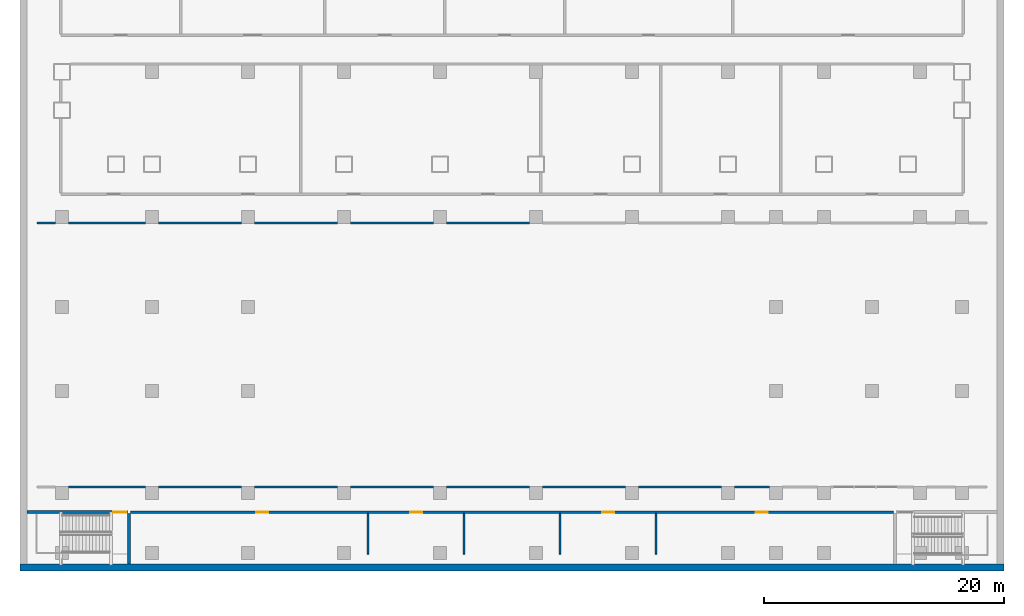
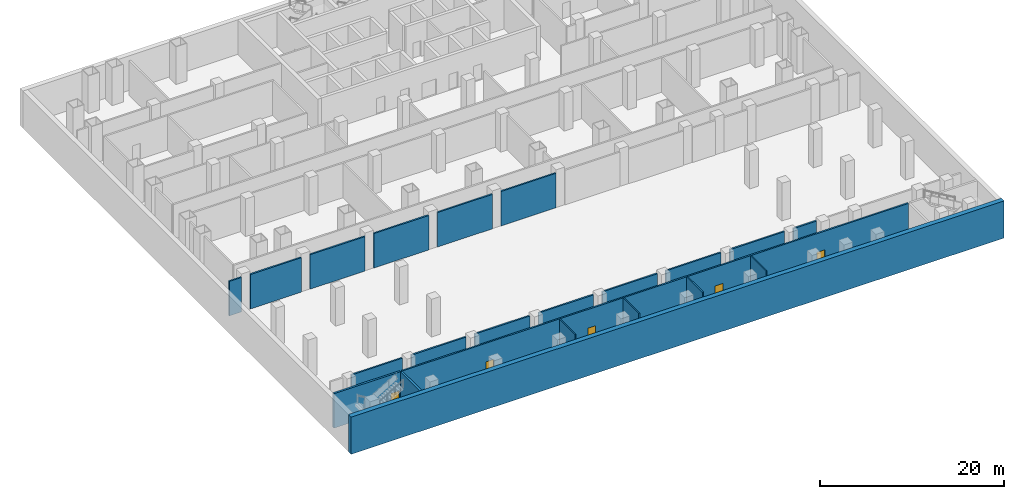
# One storey, part 2 of 12: 22 walls, 5 doors, 5 openings.
"""IFC4 building model written with IfcOpenShell, lengths in metres."""

import ifcopenshell
import ifcopenshell.guid

model = None  # the IFC model being written
_history = None  # IfcOwnerHistory: only IFC2X3 demands one
_inside = {}  # id of a spatial element -> (the spatial element, [elements in it])
_under = {}  # id of a project, library or spatial element -> (it, [spatial elements below it])
_declared = {}  # id of a project -> (the project, [libraries it declares])
_typed = {}  # id of a type object -> (the type object, [elements of that type])
_made_of = {}  # id of a material, layer set ... -> (it, [elements and type objects made of it])


def new_model(schema):
    """Start an empty IFC model of exactly this schema.

    Asked for "IFC4X3", IfcOpenShell would pick the latest addendum, in which some entities
    have other attributes; the version numbers below select the first issue.
    IFC2X3 requires an IfcOwnerHistory on every rooted entity: one is made here for all.
    """
    global model, _history
    if schema == "IFC4X3":
        model = ifcopenshell.file(schema_version=(4, 3, 0, 0))
    else:
        model = ifcopenshell.file(schema=schema)
    _inside.clear()
    _under.clear()
    _declared.clear()
    _typed.clear()
    _made_of.clear()
    _history = None
    if model.schema == "IFC2X3":
        org = make("IfcOrganization", Name="unknown")
        user = make(
            "IfcPersonAndOrganization",
            ThePerson=make("IfcPerson", FamilyName="unknown"),
            TheOrganization=org,
        )
        app = make(
            "IfcApplication",
            ApplicationDeveloper=org,
            Version="unknown",
            ApplicationFullName="unknown",
            ApplicationIdentifier="unknown",
        )
        _history = make(
            "IfcOwnerHistory",
            OwningUser=user,
            OwningApplication=app,
            ChangeAction="ADDED",
            CreationDate=0,
        )
    return model


def make(cls, **values):
    """One entity of the class cls with the attributes given. An attribute that is None is left unset."""
    return model.create_entity(
        cls, **{name: value for name, value in values.items() if value is not None}
    )


def rooted(cls, **values):
    """An entity with a GlobalId (a new one), such as an element, a storey or a relation."""
    return make(cls, GlobalId=ifcopenshell.guid.new(), OwnerHistory=_history, **values)


def si_unit(unit_type, name, prefix=None):
    """IfcSIUnit, for example si_unit("LENGTHUNIT", "METRE", prefix="MILLI")."""
    return make("IfcSIUnit", UnitType=unit_type, Prefix=prefix, Name=name)


def assignment(units):
    """IfcUnitAssignment: the units of a project."""
    return None if units is None else make("IfcUnitAssignment", Units=units)


def point(xyz):
    """IfcCartesianPoint."""
    return None if xyz is None else make("IfcCartesianPoint", Coordinates=xyz)


def direction(xyz):
    """IfcDirection."""
    return None if xyz is None else make("IfcDirection", DirectionRatios=xyz)


def frame(location, z_axis=None, x_axis=None):
    """IfcAxis2Placement3D, a coordinate frame: its origin and axes. An axis left out is left unset."""
    return make(
        "IfcAxis2Placement3D",
        Location=point(location),
        Axis=direction(z_axis),
        RefDirection=direction(x_axis),
    )


def frame_2d(location, x_axis=None):
    """IfcAxis2Placement2D, a coordinate frame in the plane: its origin and x axis."""
    return make(
        "IfcAxis2Placement2D", Location=point(location), RefDirection=direction(x_axis)
    )


def origin():
    """The frame at (0, 0, 0) with its axes left unset."""
    return frame((0.0, 0.0, 0.0))


def place(relative_to, where):
    """IfcLocalPlacement: puts the frame where relative to a parent placement (None: the world)."""
    return make(
        "IfcLocalPlacement", PlacementRelTo=relative_to, RelativePlacement=where
    )


def context(
    kind, dimensions, precision=None, world=None, true_north=None, identifier=None
):
    """IfcGeometricRepresentationContext, for example the 3D "Model" context."""
    return make(
        "IfcGeometricRepresentationContext",
        ContextIdentifier=identifier,
        ContextType=kind,
        CoordinateSpaceDimension=dimensions,
        Precision=precision,
        WorldCoordinateSystem=world,
        TrueNorth=true_north,
    )


def subcontext(parent, identifier, kind, view, scale=None):
    """IfcGeometricRepresentationSubContext, for example "Body" below "Model"."""
    return make(
        "IfcGeometricRepresentationSubContext",
        ContextIdentifier=identifier,
        ContextType=kind,
        ParentContext=parent,
        TargetScale=scale,
        TargetView=view,
    )


def project(units=None, contexts=None):
    """IfcProject with its units and contexts."""
    return rooted(
        "IfcProject",
        Name="project",
        RepresentationContexts=contexts,
        UnitsInContext=assignment(units),
    )


def spatial(cls, under=None, at=None, **own):
    """A site, building, storey or space (cls), placed at a placement, below another one or the project."""
    s = rooted(cls, ObjectPlacement=at, **own)
    if under is not None:
        _under.setdefault(under.id(), (under, []))[1].append(s)
    return s


def profile(cls, at=None, kind="AREA", **sizes):
    """A parametric profile (cls). Its sizes go by their IFC names, for example OverallWidth=200.0."""
    return make(cls, ProfileType=kind, Position=at, **sizes)


def rectangle(**sizes):
    """IfcRectangleProfileDef."""
    return profile("IfcRectangleProfileDef", **sizes)


def extrude(swept, where, along, depth):
    """IfcExtrudedAreaSolid: the profile swept, set in the frame where, extruded along a direction by depth."""
    return make(
        "IfcExtrudedAreaSolid",
        SweptArea=swept,
        Position=where,
        ExtrudedDirection=direction(along),
        Depth=depth,
    )


def shape(context_of_items, identifier, shape_type, items):
    """IfcShapeRepresentation: the items that make up one representation, for example the "Body"."""
    return make(
        "IfcShapeRepresentation",
        ContextOfItems=context_of_items,
        RepresentationIdentifier=identifier,
        RepresentationType=shape_type,
        Items=items,
    )


def material(Name=None, Category=None):
    """IfcMaterial."""
    return make("IfcMaterial", Name=Name, Category=Category)


def layer(
    of_material, thickness, ventilated=None, Name=None, Category=None, Priority=None
):
    """IfcMaterialLayer: one layer of a wall or slab, of a material (None: an air gap)."""
    return make(
        "IfcMaterialLayer",
        Material=of_material,
        LayerThickness=thickness,
        IsVentilated=ventilated,
        Name=Name,
        Category=Category,
        Priority=Priority,
    )


def layer_set(layers, Name=None):
    """IfcMaterialLayerSet."""
    return make("IfcMaterialLayerSet", MaterialLayers=layers, LayerSetName=Name)


def made_of(thing, what):
    """Note that an element or type object is made of a material, layer set ...; save() writes the relation."""
    if what is not None:
        _made_of.setdefault(what.id(), (what, []))[1].append(thing)
    return thing


def type_object(cls, material=None, **own):
    """A type object (cls), such as IfcWallType, which elements share."""
    return made_of(rooted(cls, **own), material)


def element(
    cls,
    number,
    at=None,
    inside=None,
    cuts=None,
    type_object=None,
    material=None,
    context=None,
    identifier="Body",
    shape_type=None,
    held_by="IfcProductDefinitionShape",
    body=None,
    shapes=None,
    **own,
):
    """One element of the class cls, such as IfcWall. Its Tag is "e" and its number.

    at: its placement. inside: the storey or other place that contains it. cuts: it is an
    opening in that element (IfcRelVoidsElement). A single representation is given by context,
    identifier, shape_type and body (its items); several are given by shapes. held_by: the class
    of the entity that holds the representations. save() writes the other relations.
    """
    e = rooted(cls, Tag="e%d" % number, ObjectPlacement=at, **own)
    if body is not None:
        shapes = [shape(context, identifier, shape_type, body)]
    if shapes is not None:
        e.Representation = make(held_by, Representations=shapes)
    if inside is not None:
        _inside.setdefault(inside.id(), (inside, []))[1].append(e)
    if cuts is not None:
        rooted(
            "IfcRelVoidsElement", RelatingBuildingElement=cuts, RelatedOpeningElement=e
        )
    if type_object is not None:
        _typed.setdefault(type_object.id(), (type_object, []))[1].append(e)
    return made_of(e, material)


def fill(opening, filler):
    """IfcRelFillsElement: the door or window that sits in an opening."""
    return rooted(
        "IfcRelFillsElement",
        RelatingOpeningElement=opening,
        RelatedBuildingElement=filler,
    )


def aggregate(whole, parts):
    """IfcRelAggregates: a whole, such as a stair, and the parts it consists of."""
    return rooted("IfcRelAggregates", RelatingObject=whole, RelatedObjects=parts)


def save(model, path):
    """Write the relations noted so far, then the file.

    IfcRelAggregates (storeys below a building ...), IfcRelContainedInSpatialStructure (elements
    in a storey), IfcRelDefinesByType, IfcRelAssociatesMaterial and IfcRelDeclares: one each for
    every whole, place, type object, material and project.
    """
    for whole, parts in _under.values():
        aggregate(whole, parts)
    for where, things in _inside.values():
        rooted(
            "IfcRelContainedInSpatialStructure",
            RelatedElements=things,
            RelatingStructure=where,
        )
    for kind, things in _typed.values():
        rooted("IfcRelDefinesByType", RelatedObjects=things, RelatingType=kind)
    for what, things in _made_of.values():
        rooted("IfcRelAssociatesMaterial", RelatedObjects=things, RelatingMaterial=what)
    for by, libraries in _declared.values():
        rooted("IfcRelDeclares", RelatingContext=by, RelatedDefinitions=libraries)
    model.write(path)


model = new_model("IFC4")

# Units and contexts
model_context = context("Model", 3, precision=1e-05, world=origin(), true_north=direction((0.0, 1.0)))
body_context = subcontext(model_context, "Body", "Model", "MODEL_VIEW")
ifc_project = project(units=[si_unit("LENGTHUNIT", "METRE"), si_unit("AREAUNIT", "SQUARE_METRE"), si_unit("VOLUMEUNIT", "CUBIC_METRE"), si_unit("PLANEANGLEUNIT", "RADIAN"), si_unit("MASSUNIT", "GRAM", prefix="KILO")], contexts=[model_context])

# Site, building, storey
site_placement = place(None, origin())
site = spatial("IfcSite", under=ifc_project, at=site_placement, CompositionType="ELEMENT")
building_placement = place(site_placement, origin())
building = spatial("IfcBuilding", under=site, at=building_placement, Name="Vidyagriha Tower", CompositionType="ELEMENT")
storey_placement = place(building_placement, frame((0.0, 0.0, -5.0)))
storey = spatial("IfcBuildingStorey", under=building, at=storey_placement, Name="B1", CompositionType="ELEMENT", Elevation=-5.0)

# Wall
ifc_material_1 = material(Name="Concrete C50/60", Category="concrete")
ifc_layer_1 = layer(ifc_material_1, 0.60009765625)
ifc_layer_set_1 = layer_set([ifc_layer_1], Name="Concrete C50/60")
wall_type_1 = type_object("IfcWallType", Name="Basement retaining wall 600", PredefinedType="SOLIDWALL", material=ifc_layer_set_1)
wall_1_placement = place(storey_placement, frame((-41.0, -50.699951171875, -0.35009765625)))
element("IfcWall", 1, at=wall_1_placement, inside=storey, type_object=wall_type_1, Name="st-retwall-B1-s", PredefinedType="SOLIDWALL", context=body_context, shape_type="SweptSolid", body=[
    extrude(rectangle(XDim=82.0, YDim=0.60009765625, at=frame_2d((41.0, 0.0))), origin(), (0.0, 0.0, 1.0), 4.93017578125),
])

# Wall, opening, door
ifc_material_2 = material(Name="Concrete C32/40", Category="concrete")
ifc_layer_2 = layer(ifc_material_2, 0.25)
ifc_layer_set_2 = layer_set([ifc_layer_2], Name="Concrete C32/40")
wall_type_2 = type_object("IfcWallType", Name="Concrete Stair Enclosure Wall 250", PredefinedType="SOLIDWALL", material=ifc_layer_set_2)
wall_2_placement = place(storey_placement, frame((-40.39990234375, -46.10009765625, 0.0)))
wall_2 = element("IfcWall", 2, at=wall_2_placement, inside=storey, type_object=wall_type_2, Name="B1 Concrete Stair Enclosure Wall 250 001", PredefinedType="SOLIDWALL", context=body_context, shape_type="SweptSolid", body=[
    extrude(rectangle(XDim=8.375, YDim=0.25, at=frame_2d((4.1875, 0.0))), origin(), (0.0, 0.0, 1.0), 4.580078125),
])
opening_1_placement = place(wall_2_placement, frame((7.155029296875, 0.0, 0.0)))
opening_1 = element("IfcOpeningElement", 3, at=opening_1_placement, cuts=wall_2, Name="Opening DB1-47", PredefinedType="OPENING", context=body_context, shape_type="SweptSolid", body=[
    extrude(rectangle(XDim=1.10009765625, YDim=2.10009765625, at=frame_2d((0.550048828125, 1.050048828125))), frame((0.0, 0.135009765625, 0.0), z_axis=(0.0, -1.0, 0.0), x_axis=(1.0, 0.0, 0.0)), (0.0, 0.0, 1.0), 0.27001953125),
])
ifc_material_3 = material(Name="Steel fire door set", Category="steel")
door_type_1 = type_object("IfcDoorType", Name="Podium Door 1100x2100 EI 90", OperationType="NOTDEFINED", PredefinedType="DOOR", material=ifc_material_3)
door_1_placement = place(opening_1_placement, origin())
door_1 = element("IfcDoor", 4, at=door_1_placement, inside=storey, type_object=door_type_1, Name="B1 door DB1-47", OperationType="SINGLE_SWING_RIGHT", OverallHeight=2.10009765625, OverallWidth=1.10009765625, PredefinedType="DOOR", context=body_context, shape_type="SweptSolid", body=[
    extrude(rectangle(XDim=1.10009765625, YDim=2.10009765625, at=frame_2d((0.550048828125, 1.050048828125))), frame((0.0, 0.02490234375, 0.0), z_axis=(0.0, -1.0, 0.0), x_axis=(1.0, 0.0, 0.0)), (0.0, 0.0, 1.0), 0.050048828125),
])
fill(opening_1, door_1)

# Wall
wall_3_placement = place(storey_placement, frame((-31.89990234375, -50.39990234375, 0.0), z_axis=(0.0, 0.0, 1.0), x_axis=(0.0, 1.0, 0.0)))
element("IfcWall", 5, at=wall_3_placement, inside=storey, type_object=wall_type_2, Name="B1 Concrete Stair Enclosure Wall 250 061", PredefinedType="SOLIDWALL", context=body_context, shape_type="SweptSolid", body=[
    extrude(rectangle(XDim=4.1748046875, YDim=0.25, at=frame_2d((2.08740234375, 0.0))), origin(), (0.0, 0.0, 1.0), 4.580078125),
])

# Wall, openings, doors
ifc_material_4 = material(Name="Fire rated gypsum board on light gauge framing")
ifc_layer_3 = layer(ifc_material_4, 0.199951171875)
ifc_layer_set_3 = layer_set([ifc_layer_3], Name="Fire rated gypsum board on light gauge framing")
wall_type_3 = type_object("IfcWallType", Name="Fire Rated Corridor Wall 200", PredefinedType="PARTITIONING", material=ifc_layer_set_3)
wall_4_placement = place(storey_placement, frame((-31.77490234375, -46.10009765625, 0.0)))
wall_4 = element("IfcWall", 6, at=wall_4_placement, inside=storey, type_object=wall_type_3, Name="B1 Fire Rated Corridor Wall 200 000", PredefinedType="PARTITIONING", context=body_context, shape_type="SweptSolid", body=[
    extrude(rectangle(XDim=63.5498046875, YDim=0.199951171875, at=frame_2d((31.77490234375, 0.0))), origin(), (0.0, 0.0, 1.0), 4.580078125),
])
opening_2_placement = place(wall_4_placement, frame((10.47509765625, 0.0, 0.0)))
opening_2 = element("IfcOpeningElement", 7, at=opening_2_placement, cuts=wall_4, Name="Opening DB1-15", PredefinedType="OPENING", context=body_context, shape_type="SweptSolid", body=[
    extrude(rectangle(XDim=1.0, YDim=2.10009765625, at=frame_2d((0.5, 1.050048828125))), frame((0.0, 0.10986328125, 0.0), z_axis=(0.0, -1.0, 0.0), x_axis=(1.0, 0.0, 0.0)), (0.0, 0.0, 1.0), 0.219970703125),
])
opening_3_placement = place(wall_4_placement, frame((23.27490234375, 0.0, 0.0)))
opening_3 = element("IfcOpeningElement", 8, at=opening_3_placement, cuts=wall_4, Name="Opening DB1-16", PredefinedType="OPENING", context=body_context, shape_type="SweptSolid", body=[
    extrude(rectangle(XDim=1.0, YDim=2.10009765625, at=frame_2d((0.5, 1.050048828125))), frame((0.0, 0.10986328125, 0.0), z_axis=(0.0, -1.0, 0.0), x_axis=(1.0, 0.0, 0.0)), (0.0, 0.0, 1.0), 0.219970703125),
])
opening_4_placement = place(wall_4_placement, frame((39.27490234375, 0.0, 0.0)))
opening_4 = element("IfcOpeningElement", 9, at=opening_4_placement, cuts=wall_4, Name="Opening DB1-17", PredefinedType="OPENING", context=body_context, shape_type="SweptSolid", body=[
    extrude(rectangle(XDim=1.0, YDim=2.10009765625, at=frame_2d((0.5, 1.050048828125))), frame((0.0, 0.10986328125, 0.0), z_axis=(0.0, -1.0, 0.0), x_axis=(1.0, 0.0, 0.0)), (0.0, 0.0, 1.0), 0.219970703125),
])
opening_5_placement = place(wall_4_placement, frame((52.074951171875, 0.0, 0.0)))
opening_5 = element("IfcOpeningElement", 10, at=opening_5_placement, cuts=wall_4, Name="Opening DB1-18", PredefinedType="OPENING", context=body_context, shape_type="SweptSolid", body=[
    extrude(rectangle(XDim=1.0, YDim=2.10009765625, at=frame_2d((0.5, 1.050048828125))), frame((0.0, 0.10986328125, 0.0), z_axis=(0.0, -1.0, 0.0), x_axis=(1.0, 0.0, 0.0)), (0.0, 0.0, 1.0), 0.219970703125),
])
ifc_material_5 = material(Name="Steel fire door set", Category="steel")
door_type_2 = type_object("IfcDoorType", Name="Podium Door 1000x2100 EI 30", OperationType="NOTDEFINED", PredefinedType="DOOR", material=ifc_material_5)
door_2_placement = place(opening_3_placement, frame((1.0, 0.0, 0.0), z_axis=(0.0, 0.0, 1.0), x_axis=(-1.0, 0.0, 0.0)))
door_2 = element("IfcDoor", 11, at=door_2_placement, inside=storey, type_object=door_type_2, Name="B1 door DB1-16", OperationType="SINGLE_SWING_LEFT", OverallHeight=2.10009765625, OverallWidth=1.0, PredefinedType="DOOR", context=body_context, shape_type="SweptSolid", body=[
    extrude(rectangle(XDim=1.0, YDim=2.10009765625, at=frame_2d((0.5, 1.050048828125))), frame((0.0, 0.02490234375, 0.0), z_axis=(0.0, -1.0, 0.0), x_axis=(1.0, 0.0, 0.0)), (0.0, 0.0, 1.0), 0.050048828125),
])
fill(opening_3, door_2)
door_3_placement = place(opening_4_placement, frame((1.0, 0.0, 0.0), z_axis=(0.0, 0.0, 1.0), x_axis=(-1.0, 0.0, 0.0)))
door_3 = element("IfcDoor", 12, at=door_3_placement, inside=storey, type_object=door_type_2, Name="B1 door DB1-17", OperationType="SINGLE_SWING_RIGHT", OverallHeight=2.10009765625, OverallWidth=1.0, PredefinedType="DOOR", context=body_context, shape_type="SweptSolid", body=[
    extrude(rectangle(XDim=1.0, YDim=2.10009765625, at=frame_2d((0.5, 1.050048828125))), frame((0.0, 0.02490234375, 0.0), z_axis=(0.0, -1.0, 0.0), x_axis=(1.0, 0.0, 0.0)), (0.0, 0.0, 1.0), 0.050048828125),
])
fill(opening_4, door_3)
ifc_material_6 = material(Name="Steel fire door set", Category="steel")
door_type_3 = type_object("IfcDoorType", Name="Podium Door 1000x2100 EI 60", OperationType="NOTDEFINED", PredefinedType="DOOR", material=ifc_material_6)
door_4_placement = place(opening_2_placement, frame((1.0, 0.0, 0.0), z_axis=(0.0, 0.0, 1.0), x_axis=(-1.0, 0.0, 0.0)))
door_4 = element("IfcDoor", 13, at=door_4_placement, inside=storey, type_object=door_type_3, Name="B1 door DB1-15", OperationType="SINGLE_SWING_LEFT", OverallHeight=2.10009765625, OverallWidth=1.0, PredefinedType="DOOR", context=body_context, shape_type="SweptSolid", body=[
    extrude(rectangle(XDim=1.0, YDim=2.10009765625, at=frame_2d((0.5, 1.050048828125))), frame((0.0, 0.02490234375, 0.0), z_axis=(0.0, -1.0, 0.0), x_axis=(1.0, 0.0, 0.0)), (0.0, 0.0, 1.0), 0.050048828125),
])
fill(opening_2, door_4)
door_5_placement = place(opening_5_placement, frame((1.0, 0.0, 0.0), z_axis=(0.0, 0.0, 1.0), x_axis=(-1.0, 0.0, 0.0)))
door_5 = element("IfcDoor", 14, at=door_5_placement, inside=storey, type_object=door_type_3, Name="B1 door DB1-18", OperationType="SINGLE_SWING_RIGHT", OverallHeight=2.10009765625, OverallWidth=1.0, PredefinedType="DOOR", context=body_context, shape_type="SweptSolid", body=[
    extrude(rectangle(XDim=1.0, YDim=2.10009765625, at=frame_2d((0.5, 1.050048828125))), frame((0.0, 0.02490234375, 0.0), z_axis=(0.0, -1.0, 0.0), x_axis=(1.0, 0.0, 0.0)), (0.0, 0.0, 1.0), 0.050048828125),
])
fill(opening_5, door_5)

# Walls
wall_5_placement = place(storey_placement, frame((-36.949951171875, -44.0, 0.0)))
element("IfcWall", 15, at=wall_5_placement, inside=storey, type_object=wall_type_3, Name="B1 Fire Rated Corridor Wall 200 004", PredefinedType="PARTITIONING", context=body_context, shape_type="SweptSolid", body=[
    extrude(rectangle(XDim=6.39990234375, YDim=0.199951171875, at=frame_2d((3.199951171875, 0.0))), origin(), (0.0, 0.0, 1.0), 4.580078125),
])
for number, where, name in (
    (16, (-29.449951171875, -44.0, 0.0), "B1 Fire Rated Corridor Wall 200 005"),
    (17, (-21.449951171875, -44.0, 0.0), "B1 Fire Rated Corridor Wall 200 006"),
    (18, (-13.449951171875, -44.0, 0.0), "B1 Fire Rated Corridor Wall 200 007"),
    (19, (-5.449951171875, -44.0, 0.0), "B1 Fire Rated Corridor Wall 200 008"),
    (20, (2.550048828125, -44.0, 0.0), "B1 Fire Rated Corridor Wall 200 009"),
    (21, (10.550048828125, -44.0, 0.0), "B1 Fire Rated Corridor Wall 200 010"),
):
    element("IfcWall", number, at=place(storey_placement, frame(where)), inside=storey, type_object=wall_type_3, Name=name, PredefinedType="PARTITIONING", context=body_context, shape_type="SweptSolid", body=[
        extrude(rectangle(XDim=6.89990234375, YDim=0.199951171875, at=frame_2d((3.449951171875, 0.0))), origin(), (0.0, 0.0, 1.0), 4.580078125),
    ])
wall_6_placement = place(storey_placement, frame((18.550048828125, -44.0, 0.0)))
element("IfcWall", 22, at=wall_6_placement, inside=storey, type_object=wall_type_3, Name="B1 Fire Rated Corridor Wall 200 011", PredefinedType="PARTITIONING", context=body_context, shape_type="SweptSolid", body=[
    extrude(rectangle(XDim=2.89990234375, YDim=0.199951171875, at=frame_2d((1.449951171875, 0.0))), origin(), (0.0, 0.0, 1.0), 4.580078125),
])
wall_7_placement = place(storey_placement, frame((-39.60009765625, -22.0, 0.0)))
element("IfcWall", 23, at=wall_7_placement, inside=storey, type_object=wall_type_3, Name="B1 Fire Rated Corridor Wall 200 016", PredefinedType="PARTITIONING", context=body_context, shape_type="SweptSolid", body=[
    extrude(rectangle(XDim=1.550048828125, YDim=0.199951171875, at=frame_2d((0.77490234375, 0.0))), origin(), (0.0, 0.0, 1.0), 4.580078125),
])
wall_8_placement = place(storey_placement, frame((-36.949951171875, -22.0, 0.0)))
element("IfcWall", 24, at=wall_8_placement, inside=storey, type_object=wall_type_3, Name="B1 Fire Rated Corridor Wall 200 017", PredefinedType="PARTITIONING", context=body_context, shape_type="SweptSolid", body=[
    extrude(rectangle(XDim=6.39990234375, YDim=0.199951171875, at=frame_2d((3.199951171875, 0.0))), origin(), (0.0, 0.0, 1.0), 4.580078125),
])
for number, where, name in (
    (25, (-29.449951171875, -22.0, 0.0), "B1 Fire Rated Corridor Wall 200 018"),
    (26, (-21.449951171875, -22.0, 0.0), "B1 Fire Rated Corridor Wall 200 019"),
    (27, (-13.449951171875, -22.0, 0.0), "B1 Fire Rated Corridor Wall 200 020"),
    (28, (-5.449951171875, -22.0, 0.0), "B1 Fire Rated Corridor Wall 200 021"),
):
    element("IfcWall", number, at=place(storey_placement, frame(where)), inside=storey, type_object=wall_type_3, Name=name, PredefinedType="PARTITIONING", context=body_context, shape_type="SweptSolid", body=[
        extrude(rectangle(XDim=6.89990234375, YDim=0.199951171875, at=frame_2d((3.449951171875, 0.0))), origin(), (0.0, 0.0, 1.0), 4.580078125),
    ])
ifc_material_7 = material(Name="Gypsum board on light gauge framing")
ifc_layer_4 = layer(ifc_material_7, 0.14990234375)
ifc_layer_set_4 = layer_set([ifc_layer_4], Name="Gypsum board on light gauge framing")
wall_type_4 = type_object("IfcWallType", Name="Gypsum Board Partition 150", PredefinedType="PARTITIONING", material=ifc_layer_set_4)
for number, where, z_axis, x_axis, name in (
    (29, (-12.0, -49.60009765625, 0.0), (0.0, 0.0, 1.0), (0.0, 1.0, 0.0), "B1 Gypsum Board Partition 150 068"),
    (30, (-4.0, -49.60009765625, 0.0), (0.0, 0.0, 1.0), (0.0, 1.0, 0.0), "B1 Gypsum Board Partition 150 070"),
    (31, (4.0, -49.60009765625, 0.0), (0.0, 0.0, 1.0), (0.0, 1.0, 0.0), "B1 Gypsum Board Partition 150 073"),
    (32, (12.0, -49.60009765625, 0.0), (0.0, 0.0, 1.0), (0.0, 1.0, 0.0), "B1 Gypsum Board Partition 150 075"),
):
    element("IfcWall", number, at=place(storey_placement, frame(where, z_axis=z_axis, x_axis=x_axis)), inside=storey, type_object=wall_type_4, Name=name, PredefinedType="PARTITIONING", context=body_context, shape_type="SweptSolid", body=[
        extrude(rectangle(XDim=3.400146484375, YDim=0.14990234375, at=frame_2d((1.7001953125, 0.0))), origin(), (0.0, 0.0, 1.0), 4.580078125),
    ])

save(model, "model.ifc")
